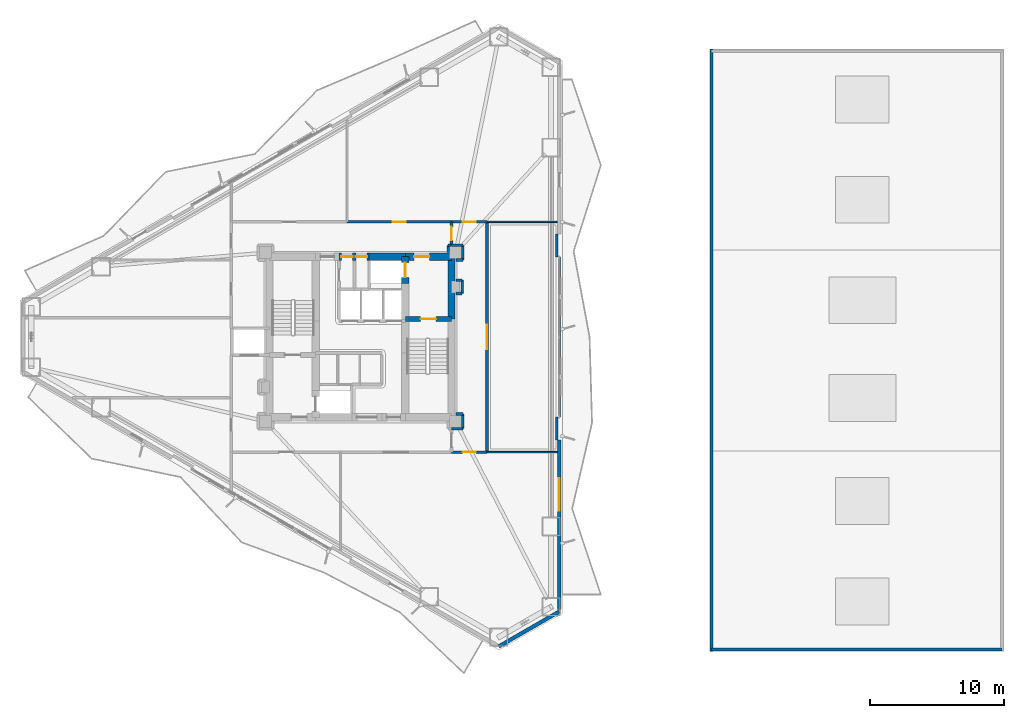
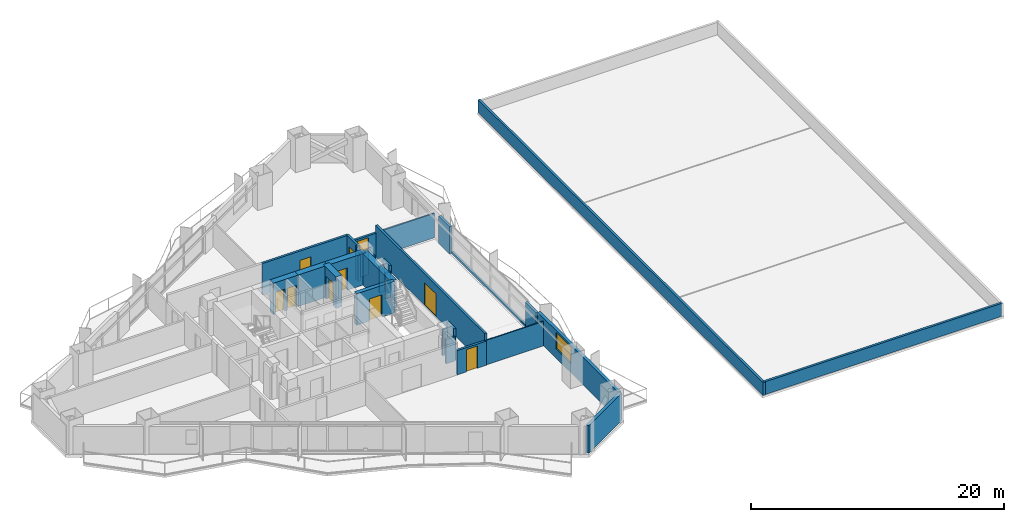
# One storey, part 13 of 16: 31 walls, 10 doors, 1 window, 11 openings.
"""IFC4 building model written with IfcOpenShell, lengths in metres."""

from ifc_helpers import new_model, si_unit, direction, frame, frame_2d, origin, place, context, subcontext, project, spatial, rectangle, extrude, material, layer, layer_set, type_object, element, fill, save


model = new_model("IFC4")

# Units and contexts
model_context = context("Model", 3, precision=1e-05, world=origin(), true_north=direction((0.0, 1.0)))
body_context = subcontext(model_context, "Body", "Model", "MODEL_VIEW")
ifc_project = project(units=[si_unit("LENGTHUNIT", "METRE"), si_unit("AREAUNIT", "SQUARE_METRE"), si_unit("VOLUMEUNIT", "CUBIC_METRE"), si_unit("PLANEANGLEUNIT", "RADIAN"), si_unit("MASSUNIT", "GRAM", prefix="KILO")], contexts=[model_context])

# Site, building, storey
site_placement = place(None, origin())
site = spatial("IfcSite", under=ifc_project, at=site_placement, CompositionType="ELEMENT")
building_placement = place(site_placement, origin())
building = spatial("IfcBuilding", under=site, at=building_placement, Name="Mersakhor Tower and Convention Hall", CompositionType="ELEMENT")
storey_placement = place(building_placement, frame((0.0, 0.0, 19.199951171875)))
storey = spatial("IfcBuildingStorey", under=building, at=storey_placement, Name="L04", CompositionType="ELEMENT", Elevation=19.199951171875)

# Wall
ifc_material_1 = material(Name="Precast concrete C45/55", Category="concrete")
ifc_layer_1 = layer(ifc_material_1, 0.27490234375)
ifc_layer_set_1 = layer_set([ifc_layer_1], Name="Precast concrete C45/55")
wall_type_1 = type_object("IfcWallType", Name="WL-EXT-275", PredefinedType="SOLIDWALL", material=ifc_layer_set_1)
wall_1_placement = place(storey_placement, frame((43.85009765625, 6.240234375, 0.0), z_axis=(0.0, 0.0, 1.0), x_axis=(-0.866043601342, -0.499968479581, 0.0)))
element("IfcWall", 1, at=wall_1_placement, inside=storey, type_object=wall_type_1, Name="L04 Chamfer Braced Spandrel Wall C2", PredefinedType="SOLIDWALL", context=body_context, shape_type="SweptSolid", body=[
    extrude(rectangle(XDim=5.211181640625, YDim=0.27490234375, at=frame_2d((2.60546875, 0.0))), origin(), (0.0, 0.0, 1.0), 2.66015625),
])

# Wall, opening, window
wall_2_placement = place(storey_placement, frame((43.85009765625, 19.0634765625, 0.0), z_axis=(0.0, 0.0, 1.0), x_axis=(0.0, -1.0, 0.0)))
wall_2 = element("IfcWall", 2, at=wall_2_placement, inside=storey, type_object=wall_type_1, Name="L04 Exterior Facade Wall F2-B3", PredefinedType="SOLIDWALL", context=body_context, shape_type="SweptSolid", body=[
    extrude(rectangle(XDim=12.673095703125, YDim=0.27490234375, at=frame_2d((6.33642578125, 0.0))), origin(), (0.0, 0.0, 1.0), 2.66015625),
])
opening_1_placement = place(wall_2_placement, frame((2.8759765625, 0.0, 0.89990234375)))
opening_1 = element("IfcOpeningElement", 3, at=opening_1_placement, cuts=wall_2, Name="Opening W-05", PredefinedType="OPENING", context=body_context, shape_type="SweptSolid", body=[
    extrude(rectangle(XDim=2.39990234375, YDim=1.60009765625, at=frame_2d((1.199951171875, 0.800048828125))), frame((0.0, 0.1474609375, 0.0), z_axis=(0.0, -1.0, 0.0), x_axis=(1.0, 0.0, 0.0)), (0.0, 0.0, 1.0), 0.294921875),
])
ifc_material_2 = material(Name="Dark solar low-E glazed aluminium window", Category="aluminium")
window_type = type_object("IfcWindowType", Name="WN-RES-240x160", PartitioningType="SINGLE_PANEL", PredefinedType="WINDOW", material=ifc_material_2)
window_placement = place(opening_1_placement, origin())
window = element("IfcWindow", 4, at=window_placement, inside=storey, type_object=window_type, Name="L04 Facade Punched Window F2-B3", OverallHeight=1.60009765625, OverallWidth=2.39990234375, PartitioningType="SINGLE_PANEL", PredefinedType="WINDOW", context=body_context, shape_type="SweptSolid", body=[
    extrude(rectangle(XDim=2.39990234375, YDim=1.60009765625, at=frame_2d((1.199951171875, 0.800048828125))), frame((0.0, 0.030029296875, 0.0), z_axis=(0.0, -1.0, 0.0), x_axis=(1.0, 0.0, 0.0)), (0.0, 0.0, 1.0), 0.06005859375),
])
fill(opening_1, window)

# Walls
ifc_material_3 = material(Name="Precast concrete C40/50", Category="concrete")
ifc_layer_2 = layer(ifc_material_3, 0.199951171875)
ifc_layer_set_2 = layer_set([ifc_layer_2], Name="Precast concrete C40/50")
wall_type_2 = type_object("IfcWallType", Name="WL-PAR-200", PredefinedType="PARAPET", material=ifc_layer_set_2)
wall_3_placement = place(storey_placement, frame((55.22509765625, 3.25, 0.2099609375), z_axis=(0.0, 0.0, 1.0), x_axis=(0.0, 1.0, 0.0)))
element("IfcWall", 5, at=wall_3_placement, inside=storey, type_object=wall_type_2, Name="Convention Hall Roof Parapet Wall W", PredefinedType="PARAPET", context=body_context, shape_type="SweptSolid", body=[
    extrude(rectangle(XDim=45.0, YDim=0.199951171875, at=frame_2d((22.5, 0.0))), origin(), (0.0, 0.0, 1.0), 1.239990234375),
])
wall_4_placement = place(storey_placement, frame((76.925048828125, 3.39990234375, 0.2099609375), z_axis=(0.0, 0.0, 1.0), x_axis=(-1.0, 0.0, 0.0)))
element("IfcWall", 6, at=wall_4_placement, inside=storey, type_object=wall_type_2, Name="Convention Hall Roof Parapet Wall S", PredefinedType="PARAPET", context=body_context, shape_type="SweptSolid", body=[
    extrude(rectangle(XDim=21.699951171875, YDim=0.199951171875, at=frame_2d((10.85009765625, 0.0))), origin(), (0.0, 0.0, 1.0), 1.239990234375),
])
wall_5_placement = place(storey_placement, frame((43.85009765625, 32.736572265625, 0.0), z_axis=(0.0, 0.0, 1.0), x_axis=(0.0, -1.0, 0.0)))
element("IfcWall", 7, at=wall_5_placement, inside=storey, type_object=wall_type_2, Name="L04 Curtain Wall Upstand Sill F2-B2", PredefinedType="PARAPET", context=body_context, shape_type="SweptSolid", body=[
    extrude(rectangle(XDim=11.97314453125, YDim=0.199951171875, at=frame_2d((5.986572265625, 0.0))), origin(), (0.0, 0.0, 1.0), 0.199951171875),
])
for number, where, z_axis, x_axis, name in (
    (8, (43.669921875, 34.4365234375, 0.0), (0.0, 0.0, 1.0), (0.0, -1.0, 0.0), "L04 Column Pier Cladding Wall F2-C1"),
    (9, (43.669921875, 20.763427734375, 0.0), (0.0, 0.0, 1.0), (0.0, -1.0, 0.0), "L04 Column Pier Cladding Wall F2-C2"),
):
    element("IfcWall", number, at=place(storey_placement, frame(where, z_axis=z_axis, x_axis=x_axis)), inside=storey, type_object=wall_type_2, Name=name, PredefinedType="PARAPET", context=body_context, shape_type="SweptSolid", body=[
        extrude(rectangle(XDim=1.699951171875, YDim=0.199951171875, at=frame_2d((0.85009765625, 0.0))), origin(), (0.0, 0.0, 1.0), 2.66015625),
    ])
ifc_material_4 = material(Name="Lightweight gypsum partition", Category="other")
ifc_layer_3 = layer(ifc_material_4, 0.10009765625)
ifc_layer_set_3 = layer_set([ifc_layer_3], Name="Lightweight gypsum partition")
wall_type_3 = type_object("IfcWallType", Name="WL-PRT-100", PredefinedType="PARTITIONING", material=ifc_layer_set_3)
wall_6_placement = place(storey_placement, frame((43.6884765625, 18.14990234375, 0.0), z_axis=(0.0, 0.0, 1.0), x_axis=(-1.0, 0.0, 0.0)))
element("IfcWall", 10, at=wall_6_placement, inside=storey, type_object=wall_type_3, Name="L04 Interior Partition Wall P-066", PredefinedType="PARTITIONING", context=body_context, shape_type="SweptSolid", body=[
    extrude(rectangle(XDim=5.238525390625, YDim=0.10009765625, at=frame_2d((2.619140625, 0.0))), origin(), (0.0, 0.0, 1.0), 2.364990234375),
])
ifc_material_5 = material(Name="Gypsum board acoustic partition", Category="other")
ifc_layer_4 = layer(ifc_material_5, 0.125)
ifc_layer_set_4 = layer_set([ifc_layer_4], Name="Gypsum board acoustic partition")
wall_type_4 = type_object("IfcWallType", Name="WL-PRT-125", PredefinedType="PARTITIONING", material=ifc_layer_set_4)
wall_7_placement = place(storey_placement, frame((43.6884765625, 35.35009765625, 0.0), z_axis=(0.0, 0.0, 1.0), x_axis=(-1.0, 0.0, 0.0)))
element("IfcWall", 11, at=wall_7_placement, inside=storey, type_object=wall_type_4, Name="L04 Interior Partition Wall P-065", PredefinedType="PARTITIONING", context=body_context, shape_type="SweptSolid", body=[
    extrude(rectangle(XDim=5.238525390625, YDim=0.125, at=frame_2d((2.619140625, 0.0))), origin(), (0.0, 0.0, 1.0), 2.364990234375),
])

# Wall, opening, door
ifc_material_6 = material(Name="Acoustic concrete blockwork and gypsum board", Category="masonry")
ifc_layer_5 = layer(ifc_material_6, 0.199951171875)
ifc_layer_set_5 = layer_set([ifc_layer_5], Name="Acoustic concrete blockwork and gypsum board")
wall_type_5 = type_object("IfcWallType", Name="WL-PRT-200", PredefinedType="PARTITIONING", material=ifc_layer_set_5)
wall_8_placement = place(storey_placement, frame((28.0, 35.35009765625, 0.0), z_axis=(0.0, 0.0, 1.0), x_axis=(1.0, 0.0, 0.0)))
wall_8 = element("IfcWall", 12, at=wall_8_placement, inside=storey, type_object=wall_type_5, Name="L04 Interior Partition Wall P-034", PredefinedType="PARTITIONING", context=body_context, shape_type="SweptSolid", body=[
    extrude(rectangle(XDim=7.800048828125, YDim=0.199951171875, at=frame_2d((3.89990234375, 0.0))), origin(), (0.0, 0.0, 1.0), 3.0400390625),
])
opening_2_placement = place(wall_8_placement, frame((3.39990234375, 0.0, 0.0)))
opening_2 = element("IfcOpeningElement", 13, at=opening_2_placement, cuts=wall_8, Name="Opening FD-01", PredefinedType="OPENING", context=body_context, shape_type="SweptSolid", body=[
    extrude(rectangle(XDim=1.0, YDim=2.14990234375, at=frame_2d((0.5, 1.074951171875))), frame((0.0, 0.10986328125, 0.0), z_axis=(0.0, -1.0, 0.0), x_axis=(1.0, 0.0, 0.0)), (0.0, 0.0, 1.0), 0.219970703125),
])
ifc_material_7 = material(Name="Fire-rated hardwood leaf and painted steel frame", Category="steel")
door_type_1 = type_object("IfcDoorType", Name="DR-INT-FLT-100x215", OperationType="NOTDEFINED", PredefinedType="DOOR", material=ifc_material_7)
door_1_placement = place(opening_2_placement, origin())
door_1 = element("IfcDoor", 14, at=door_1_placement, inside=storey, type_object=door_type_1, Name="L04 L04 Sky-Lobby Corridor to Early Years Nursery Classroom 2 Door", OperationType="SINGLE_SWING_RIGHT", OverallHeight=2.14990234375, OverallWidth=1.0, PredefinedType="DOOR", context=body_context, shape_type="SweptSolid", body=[
    extrude(rectangle(XDim=1.0, YDim=2.14990234375, at=frame_2d((0.5, 1.074951171875))), frame((0.0, 0.02490234375, 0.0), z_axis=(0.0, -1.0, 0.0), x_axis=(1.0, 0.0, 0.0)), (0.0, 0.0, 1.0), 0.050048828125),
])
fill(opening_2, door_1)

wall_9_placement = place(storey_placement, frame((35.800048828125, 35.35009765625, 0.0), z_axis=(0.0, 0.0, 1.0), x_axis=(0.0, -1.0, 0.0)))
wall_9 = element("IfcWall", 15, at=wall_9_placement, inside=storey, type_object=wall_type_5, Name="L04 Interior Partition Wall P-035", PredefinedType="PARTITIONING", context=body_context, shape_type="SweptSolid", body=[
    extrude(rectangle(XDim=1.75, YDim=0.199951171875, at=frame_2d((0.875, 0.0))), origin(), (0.0, 0.0, 1.0), 3.0400390625),
])
opening_3_placement = place(wall_9_placement, frame((0.375, 0.0, 0.0)))
opening_3 = element("IfcOpeningElement", 16, at=opening_3_placement, cuts=wall_9, Name="Opening FD-01", PredefinedType="OPENING", context=body_context, shape_type="SweptSolid", body=[
    extrude(rectangle(XDim=1.0, YDim=2.14990234375, at=frame_2d((0.5, 1.074951171875))), frame((0.0, 0.10986328125, 0.0), z_axis=(0.0, -1.0, 0.0), x_axis=(1.0, 0.0, 0.0)), (0.0, 0.0, 1.0), 0.219970703125),
])
door_2_placement = place(opening_3_placement, origin())
door_2 = element("IfcDoor", 17, at=door_2_placement, inside=storey, type_object=door_type_1, Name="L04 Ring Corridor Fire Door", OperationType="SINGLE_SWING_RIGHT", OverallHeight=2.14990234375, OverallWidth=1.0, PredefinedType="DOOR", context=body_context, shape_type="SweptSolid", body=[
    extrude(rectangle(XDim=1.0, YDim=2.14990234375, at=frame_2d((0.5, 1.074951171875))), frame((0.0, 0.02490234375, 0.0), z_axis=(0.0, -1.0, 0.0), x_axis=(1.0, 0.0, 0.0)), (0.0, 0.0, 1.0), 0.050048828125),
])
fill(opening_3, door_2)

# Walls
wall_10_placement = place(storey_placement, frame((35.77001953125, 33.60009765625, 0.0), z_axis=(0.0, 0.0, 1.0), x_axis=(-1.0, 0.0, 0.0)))
element("IfcWall", 18, at=wall_10_placement, inside=storey, type_object=wall_type_5, Name="L04 Interior Partition Wall P-036", PredefinedType="PARTITIONING", context=body_context, shape_type="SweptSolid", body=[
    extrude(rectangle(XDim=0.219970703125, YDim=0.199951171875, at=frame_2d((0.10986328125, 0.0))), origin(), (0.0, 0.0, 1.0), 3.0400390625),
])
wall_11_placement = place(storey_placement, frame((35.550048828125, 33.570068359375, 0.0), z_axis=(0.0, 0.0, 1.0), x_axis=(0.0, -1.0, 0.0)))
element("IfcWall", 19, at=wall_11_placement, inside=storey, type_object=wall_type_5, Name="L04 Interior Partition Wall P-037", PredefinedType="PARTITIONING", context=body_context, shape_type="SweptSolid", body=[
    extrude(rectangle(XDim=0.4951171875, YDim=0.199951171875, at=frame_2d((0.24755859375, 0.0))), origin(), (0.0, 0.0, 1.0), 2.48828125),
])
wall_12_placement = place(storey_placement, frame((36.64990234375, 21.0, 0.0), z_axis=(0.0, 0.0, 1.0), x_axis=(-1.0, 0.0, 0.0)))
element("IfcWall", 20, at=wall_12_placement, inside=storey, type_object=wall_type_5, Name="L04 Interior Partition Wall P-045", PredefinedType="PARTITIONING", context=body_context, shape_type="SweptSolid", body=[
    extrude(rectangle(XDim=0.52490234375, YDim=0.199951171875, at=frame_2d((0.262451171875, 0.0))), origin(), (0.0, 0.0, 1.0), 2.48828125),
])
wall_13_placement = place(storey_placement, frame((36.125, 30.0, 0.0), z_axis=(0.0, 0.0, 1.0), x_axis=(1.0, 0.0, 0.0)))
element("IfcWall", 21, at=wall_13_placement, inside=storey, type_object=wall_type_5, Name="L04 Interior Partition Wall P-046", PredefinedType="PARTITIONING", context=body_context, shape_type="SweptSolid", body=[
    extrude(rectangle(XDim=0.47509765625, YDim=0.199951171875, at=frame_2d((0.237548828125, 0.0))), origin(), (0.0, 0.0, 1.0), 2.48828125),
])
wall_14_placement = place(storey_placement, frame((36.60009765625, 30.0, 0.0), z_axis=(0.0, 0.0, 1.0), x_axis=(0.0, 1.0, 0.0)))
element("IfcWall", 22, at=wall_14_placement, inside=storey, type_object=wall_type_5, Name="L04 Interior Partition Wall P-047", PredefinedType="PARTITIONING", context=body_context, shape_type="SweptSolid", body=[
    extrude(rectangle(XDim=1.0, YDim=0.199951171875, at=frame_2d((0.5, 0.0))), origin(), (0.0, 0.0, 1.0), 3.0400390625),
])
wall_15_placement = place(storey_placement, frame((36.570068359375, 31.0, 0.0), z_axis=(0.0, 0.0, 1.0), x_axis=(-1.0, 0.0, 0.0)))
element("IfcWall", 23, at=wall_15_placement, inside=storey, type_object=wall_type_5, Name="L04 Interior Partition Wall P-048", PredefinedType="PARTITIONING", context=body_context, shape_type="SweptSolid", body=[
    extrude(rectangle(XDim=0.445068359375, YDim=0.199951171875, at=frame_2d((0.22265625, 0.0))), origin(), (0.0, 0.0, 1.0), 2.48828125),
])
wall_16_placement = place(storey_placement, frame((36.125, 32.5, 0.0), z_axis=(0.0, 0.0, 1.0), x_axis=(1.0, 0.0, 0.0)))
element("IfcWall", 24, at=wall_16_placement, inside=storey, type_object=wall_type_5, Name="L04 Interior Partition Wall P-049", PredefinedType="PARTITIONING", context=body_context, shape_type="SweptSolid", body=[
    extrude(rectangle(XDim=0.52490234375, YDim=0.199951171875, at=frame_2d((0.262451171875, 0.0))), origin(), (0.0, 0.0, 1.0), 2.48828125),
])
wall_17_placement = place(storey_placement, frame((36.64990234375, 32.5, 0.0), z_axis=(0.0, 0.0, 1.0), x_axis=(0.0, 1.0, 0.0)))
element("IfcWall", 25, at=wall_17_placement, inside=storey, type_object=wall_type_5, Name="L04 Interior Partition Wall P-050", PredefinedType="PARTITIONING", context=body_context, shape_type="SweptSolid", body=[
    extrude(rectangle(XDim=1.10009765625, YDim=0.199951171875, at=frame_2d((0.550048828125, 0.0))), origin(), (0.0, 0.0, 1.0), 2.337646484375),
])
wall_18_placement = place(storey_placement, frame((36.64990234375, 33.60009765625, 0.0), z_axis=(0.0, 0.0, 1.0), x_axis=(-1.0, 0.0, 0.0)))
element("IfcWall", 26, at=wall_18_placement, inside=storey, type_object=wall_type_5, Name="L04 Interior Partition Wall P-051", PredefinedType="PARTITIONING", context=body_context, shape_type="SweptSolid", body=[
    extrude(rectangle(XDim=0.849853515625, YDim=0.199951171875, at=frame_2d((0.4248046875, 0.0))), origin(), (0.0, 0.0, 1.0), 2.337646484375),
])

# Wall, opening, door
wall_19_placement = place(storey_placement, frame((35.800048828125, 35.35009765625, 0.0), z_axis=(0.0, 0.0, 1.0), x_axis=(1.0, 0.0, 0.0)))
wall_19 = element("IfcWall", 27, at=wall_19_placement, inside=storey, type_object=wall_type_5, Name="L04 Interior Partition Wall P-052", PredefinedType="PARTITIONING", context=body_context, shape_type="SweptSolid", body=[
    extrude(rectangle(XDim=2.64990234375, YDim=0.199951171875, at=frame_2d((1.324951171875, 0.0))), origin(), (0.0, 0.0, 1.0), 2.337646484375),
])
opening_4_placement = place(wall_19_placement, frame((0.824951171875, 0.0, 0.0)))
opening_4 = element("IfcOpeningElement", 28, at=opening_4_placement, cuts=wall_19, Name="Opening FD-01", PredefinedType="OPENING", context=body_context, shape_type="SweptSolid", body=[
    extrude(rectangle(XDim=1.0, YDim=2.14990234375, at=frame_2d((0.5, 1.074951171875))), frame((0.0, 0.10986328125, 0.0), z_axis=(0.0, -1.0, 0.0), x_axis=(1.0, 0.0, 0.0)), (0.0, 0.0, 1.0), 0.219970703125),
])
door_3_placement = place(opening_4_placement, origin())
door_3 = element("IfcDoor", 29, at=door_3_placement, inside=storey, type_object=door_type_1, Name="L04 L04 Sky-Lobby East Corridor to Early Years Nursery Classroom 2 Door", OperationType="SINGLE_SWING_RIGHT", OverallHeight=2.14990234375, OverallWidth=1.0, PredefinedType="DOOR", context=body_context, shape_type="SweptSolid", body=[
    extrude(rectangle(XDim=1.0, YDim=2.14990234375, at=frame_2d((0.5, 1.074951171875))), frame((0.0, 0.02490234375, 0.0), z_axis=(0.0, -1.0, 0.0), x_axis=(1.0, 0.0, 0.0)), (0.0, 0.0, 1.0), 0.050048828125),
])
fill(opening_4, door_3)

wall_20_placement = place(storey_placement, frame((38.449951171875, 35.35009765625, 0.0), z_axis=(0.0, 0.0, 1.0), x_axis=(0.0, -1.0, 0.0)))
wall_20 = element("IfcWall", 30, at=wall_20_placement, inside=storey, type_object=wall_type_5, Name="L04 Interior Partition Wall P-053", PredefinedType="PARTITIONING", context=body_context, shape_type="SweptSolid", body=[
    extrude(rectangle(XDim=17.2001953125, YDim=0.199951171875, at=frame_2d((8.60009765625, 0.0))), origin(), (0.0, 0.0, 1.0), 3.0400390625),
])
opening_5_placement = place(wall_20_placement, frame((7.699951171875, 0.0, 0.0)))
opening_5 = element("IfcOpeningElement", 31, at=opening_5_placement, cuts=wall_20, Name="Opening HD-01", PredefinedType="OPENING", context=body_context, shape_type="SweptSolid", body=[
    extrude(rectangle(XDim=1.800048828125, YDim=2.199951171875, at=frame_2d((0.89990234375, 1.10009765625))), frame((0.0, 0.10986328125, 0.0), z_axis=(0.0, -1.0, 0.0), x_axis=(1.0, 0.0, 0.0)), (0.0, 0.0, 1.0), 0.219970703125),
])
ifc_material_8 = material(Name="Fire-rated hardwood leaf and painted steel frame", Category="steel")
door_type_2 = type_object("IfcDoorType", Name="DR-INT-HALL-180x220", OperationType="NOTDEFINED", PredefinedType="DOOR", material=ifc_material_8)
door_4_placement = place(opening_5_placement, origin())
door_4 = element("IfcDoor", 32, at=door_4_placement, inside=storey, type_object=door_type_2, Name="L04 L04 Sky-Lobby East Corridor to Podium Residents Library Hall Door", OperationType="DOUBLE_DOOR_SINGLE_SWING", OverallHeight=2.199951171875, OverallWidth=1.800048828125, PredefinedType="DOOR", context=body_context, shape_type="SweptSolid", body=[
    extrude(rectangle(XDim=1.800048828125, YDim=2.199951171875, at=frame_2d((0.89990234375, 1.10009765625))), frame((0.0, 0.02490234375, 0.0), z_axis=(0.0, -1.0, 0.0), x_axis=(1.0, 0.0, 0.0)), (0.0, 0.0, 1.0), 0.050048828125),
])
fill(opening_5, door_4)

wall_21_placement = place(storey_placement, frame((38.449951171875, 18.14990234375, 0.0), z_axis=(0.0, 0.0, 1.0), x_axis=(-1.0, 0.0, 0.0)))
wall_21 = element("IfcWall", 33, at=wall_21_placement, inside=storey, type_object=wall_type_5, Name="L04 Interior Partition Wall P-054", PredefinedType="PARTITIONING", context=body_context, shape_type="SweptSolid", body=[
    extrude(rectangle(XDim=2.64990234375, YDim=0.199951171875, at=frame_2d((1.324951171875, 0.0))), origin(), (0.0, 0.0, 1.0), 2.337646484375),
])
opening_6_placement = place(wall_21_placement, frame((0.824951171875, 0.0, 0.0)))
opening_6 = element("IfcOpeningElement", 34, at=opening_6_placement, cuts=wall_21, Name="Opening FD-01", PredefinedType="OPENING", context=body_context, shape_type="SweptSolid", body=[
    extrude(rectangle(XDim=1.0, YDim=2.14990234375, at=frame_2d((0.5, 1.074951171875))), frame((0.0, 0.10986328125, 0.0), z_axis=(0.0, -1.0, 0.0), x_axis=(1.0, 0.0, 0.0)), (0.0, 0.0, 1.0), 0.219970703125),
])
door_5_placement = place(opening_6_placement, origin())
door_5 = element("IfcDoor", 35, at=door_5_placement, inside=storey, type_object=door_type_1, Name="L04 L04 Sky-Lobby East Corridor to Community Health Seminar Room Door", OperationType="SINGLE_SWING_RIGHT", OverallHeight=2.14990234375, OverallWidth=1.0, PredefinedType="DOOR", context=body_context, shape_type="SweptSolid", body=[
    extrude(rectangle(XDim=1.0, YDim=2.14990234375, at=frame_2d((0.5, 1.074951171875))), frame((0.0, 0.02490234375, 0.0), z_axis=(0.0, -1.0, 0.0), x_axis=(1.0, 0.0, 0.0)), (0.0, 0.0, 1.0), 0.050048828125),
])
fill(opening_6, door_5)

# Walls
wall_22_placement = place(storey_placement, frame((35.800048828125, 19.89990234375, 0.0), z_axis=(0.0, 0.0, 1.0), x_axis=(1.0, 0.0, 0.0)))
element("IfcWall", 36, at=wall_22_placement, inside=storey, type_object=wall_type_5, Name="L04 Interior Partition Wall P-055", PredefinedType="PARTITIONING", context=body_context, shape_type="SweptSolid", body=[
    extrude(rectangle(XDim=0.849853515625, YDim=0.199951171875, at=frame_2d((0.4248046875, 0.0))), origin(), (0.0, 0.0, 1.0), 2.337646484375),
])
wall_23_placement = place(storey_placement, frame((36.64990234375, 19.89990234375, 0.0), z_axis=(0.0, 0.0, 1.0), x_axis=(0.0, 1.0, 0.0)))
element("IfcWall", 37, at=wall_23_placement, inside=storey, type_object=wall_type_5, Name="L04 Interior Partition Wall P-056", PredefinedType="PARTITIONING", context=body_context, shape_type="SweptSolid", body=[
    extrude(rectangle(XDim=1.10009765625, YDim=0.199951171875, at=frame_2d((0.550048828125, 0.0))), origin(), (0.0, 0.0, 1.0), 3.0400390625),
])

# Wall, opening, door
ifc_material_9 = material(Name="Concrete C50/60", Category="concrete")
ifc_layer_6 = layer(ifc_material_9, 0.35009765625)
ifc_layer_set_6 = layer_set([ifc_layer_6], Name="Concrete C50/60")
wall_type_6 = type_object("IfcWallType", Name="WL-SHR-350", PredefinedType="SHEAR", material=ifc_layer_set_6)
wall_24_placement = place(storey_placement, frame((32.35009765625, 28.10009765625, 0.0), z_axis=(0.0, 0.0, 1.0), x_axis=(1.0, 0.0, 0.0)))
wall_24 = element("IfcWall", 38, at=wall_24_placement, inside=storey, type_object=wall_type_6, Name="L04 Core Wall CS-ST2-N", PredefinedType="SHEAR", context=body_context, shape_type="SweptSolid", body=[
    extrude(rectangle(XDim=3.449951171875, YDim=0.35009765625, at=frame_2d((1.72509765625, 0.0))), origin(), (0.0, 0.0, 1.0), 3.0400390625),
])
opening_7_placement = place(wall_24_placement, frame((1.14990234375, 0.0, 0.0)))
opening_7 = element("IfcOpeningElement", 39, at=opening_7_placement, cuts=wall_24, Name="Opening SD-01", PredefinedType="OPENING", context=body_context, shape_type="SweptSolid", body=[
    extrude(rectangle(XDim=1.14990234375, YDim=2.14990234375, at=frame_2d((0.574951171875, 1.074951171875))), frame((0.0, 0.18505859375, 0.0), z_axis=(0.0, -1.0, 0.0), x_axis=(1.0, 0.0, 0.0)), (0.0, 0.0, 1.0), 0.3701171875),
])
ifc_material_10 = material(Name="Fire-rated hardwood leaf and painted steel frame", Category="steel")
door_type_3 = type_object("IfcDoorType", Name="DR-INT-STAIR-115x215", OperationType="NOTDEFINED", PredefinedType="DOOR", material=ifc_material_10)
door_6_placement = place(opening_7_placement, origin())
door_6 = element("IfcDoor", 40, at=door_6_placement, inside=storey, type_object=door_type_3, Name="L04 Exit Stair ST-2 Enclosure Door", OperationType="SINGLE_SWING_RIGHT", OverallHeight=2.14990234375, OverallWidth=1.14990234375, PredefinedType="DOOR", context=body_context, shape_type="SweptSolid", body=[
    extrude(rectangle(XDim=1.14990234375, YDim=2.14990234375, at=frame_2d((0.574951171875, 1.074951171875))), frame((0.0, 0.02490234375, 0.0), z_axis=(0.0, -1.0, 0.0), x_axis=(1.0, 0.0, 0.0)), (0.0, 0.0, 1.0), 0.050048828125),
])
fill(opening_7, door_6)

# Wall, openings, doors
ifc_material_11 = material(Name="Concrete C70/85", Category="concrete")
ifc_layer_7 = layer(ifc_material_11, 0.550048828125)
ifc_layer_set_7 = layer_set([ifc_layer_7], Name="Concrete C70/85")
wall_type_7 = type_object("IfcWallType", Name="WL-SHR-550", PredefinedType="SHEAR", material=ifc_layer_set_7)
wall_25_placement = place(storey_placement, frame((27.39990234375, 32.75, 0.0), z_axis=(0.0, 0.0, 1.0), x_axis=(1.0, 0.0, 0.0)))
wall_25 = element("IfcWall", 41, at=wall_25_placement, inside=storey, type_object=wall_type_7, Name="L04 Core Wall CW-N2B", PredefinedType="SHEAR", context=body_context, shape_type="SweptSolid", body=[
    extrude(rectangle(XDim=2.25, YDim=0.550048828125, at=frame_2d((1.125, 0.0))), origin(), (0.0, 0.0, 1.0), 3.0400390625),
])
opening_8_placement = place(wall_25_placement, frame((0.169921875, 0.0, 0.0)))
opening_8 = element("IfcOpeningElement", 42, at=opening_8_placement, cuts=wall_25, Name="Opening SVD-01", PredefinedType="OPENING", context=body_context, shape_type="SweptSolid", body=[
    extrude(rectangle(XDim=0.85009765625, YDim=2.10009765625, at=frame_2d((0.425048828125, 1.050048828125))), frame((0.0, 0.284912109375, 0.0), z_axis=(0.0, -1.0, 0.0), x_axis=(1.0, 0.0, 0.0)), (0.0, 0.0, 1.0), 0.570068359375),
])
opening_9_placement = place(wall_25_placement, frame((1.2548828125, 0.0, 0.0)))
opening_9 = element("IfcOpeningElement", 43, at=opening_9_placement, cuts=wall_25, Name="Opening SVD-01", PredefinedType="OPENING", context=body_context, shape_type="SweptSolid", body=[
    extrude(rectangle(XDim=0.85009765625, YDim=2.10009765625, at=frame_2d((0.425048828125, 1.050048828125))), frame((0.0, 0.284912109375, 0.0), z_axis=(0.0, -1.0, 0.0), x_axis=(1.0, 0.0, 0.0)), (0.0, 0.0, 1.0), 0.570068359375),
])
ifc_material_12 = material(Name="Fire-rated hardwood leaf and painted steel frame", Category="steel")
door_type_4 = type_object("IfcDoorType", Name="DR-INT-SVC-085x210", OperationType="NOTDEFINED", PredefinedType="DOOR", material=ifc_material_12)
door_7_placement = place(opening_8_placement, origin())
door_7 = element("IfcDoor", 44, at=door_7_placement, inside=storey, type_object=door_type_4, Name="L04 L04 Sky-Lobby Corridor to Telecoms Distribution Room Door", OperationType="SINGLE_SWING_LEFT", OverallHeight=2.10009765625, OverallWidth=0.85009765625, PredefinedType="DOOR", context=body_context, shape_type="SweptSolid", body=[
    extrude(rectangle(XDim=0.85009765625, YDim=2.10009765625, at=frame_2d((0.425048828125, 1.050048828125))), frame((0.0, 0.02490234375, 0.0), z_axis=(0.0, -1.0, 0.0), x_axis=(1.0, 0.0, 0.0)), (0.0, 0.0, 1.0), 0.050048828125),
])
fill(opening_8, door_7)
door_8_placement = place(opening_9_placement, origin())
door_8 = element("IfcDoor", 45, at=door_8_placement, inside=storey, type_object=door_type_4, Name="L04 L04 Sky-Lobby Corridor to Floor Housekeeping Store Room Door", OperationType="SINGLE_SWING_RIGHT", OverallHeight=2.10009765625, OverallWidth=0.85009765625, PredefinedType="DOOR", context=body_context, shape_type="SweptSolid", body=[
    extrude(rectangle(XDim=0.85009765625, YDim=2.10009765625, at=frame_2d((0.425048828125, 1.050048828125))), frame((0.0, 0.02490234375, 0.0), z_axis=(0.0, -1.0, 0.0), x_axis=(1.0, 0.0, 0.0)), (0.0, 0.0, 1.0), 0.050048828125),
])
fill(opening_9, door_8)

# Wall
wall_26_placement = place(storey_placement, frame((29.64990234375, 32.75, 0.0), z_axis=(0.0, 0.0, 1.0), x_axis=(1.0, 0.0, 0.0)))
element("IfcWall", 46, at=wall_26_placement, inside=storey, type_object=wall_type_7, Name="L04 Core Wall CW-N3", PredefinedType="SHEAR", context=body_context, shape_type="SweptSolid", body=[
    extrude(rectangle(XDim=2.7001953125, YDim=0.550048828125, at=frame_2d((1.35009765625, 0.0))), origin(), (0.0, 0.0, 1.0), 3.0400390625),
])

# Wall, opening, door
wall_27_placement = place(storey_placement, frame((32.35009765625, 32.75, 0.0), z_axis=(0.0, 0.0, 1.0), x_axis=(1.0, 0.0, 0.0)))
wall_27 = element("IfcWall", 47, at=wall_27_placement, inside=storey, type_object=wall_type_7, Name="L04 Core Wall CW-N4", PredefinedType="SHEAR", context=body_context, shape_type="SweptSolid", body=[
    extrude(rectangle(XDim=3.449951171875, YDim=0.550048828125, at=frame_2d((1.72509765625, 0.0))), origin(), (0.0, 0.0, 1.0), 3.0400390625),
])
opening_10_placement = place(wall_27_placement, frame((0.64990234375, 0.0, 0.0)))
opening_10 = element("IfcOpeningElement", 48, at=opening_10_placement, cuts=wall_27, Name="Opening SD-01", PredefinedType="OPENING", context=body_context, shape_type="SweptSolid", body=[
    extrude(rectangle(XDim=1.14990234375, YDim=2.14990234375, at=frame_2d((0.574951171875, 1.074951171875))), frame((0.0, 0.284912109375, 0.0), z_axis=(0.0, -1.0, 0.0), x_axis=(1.0, 0.0, 0.0)), (0.0, 0.0, 1.0), 0.570068359375),
])
door_9_placement = place(opening_10_placement, origin())
door_9 = element("IfcDoor", 49, at=door_9_placement, inside=storey, type_object=door_type_3, Name="L04 Firefighting Lobby East Fire Door", OperationType="SINGLE_SWING_RIGHT", OverallHeight=2.14990234375, OverallWidth=1.14990234375, PredefinedType="DOOR", context=body_context, shape_type="SweptSolid", body=[
    extrude(rectangle(XDim=1.14990234375, YDim=2.14990234375, at=frame_2d((0.574951171875, 1.074951171875))), frame((0.0, 0.02490234375, 0.0), z_axis=(0.0, -1.0, 0.0), x_axis=(1.0, 0.0, 0.0)), (0.0, 0.0, 1.0), 0.050048828125),
])
fill(opening_10, door_9)

# Wall
wall_28_placement = place(storey_placement, frame((35.800048828125, 32.75, 0.0), z_axis=(0.0, 0.0, 1.0), x_axis=(0.0, -1.0, 0.0)))
element("IfcWall", 50, at=wall_28_placement, inside=storey, type_object=wall_type_7, Name="L04 Core Wall CW-E1", PredefinedType="SHEAR", context=body_context, shape_type="SweptSolid", body=[
    extrude(rectangle(XDim=4.64990234375, YDim=0.550048828125, at=frame_2d((2.324951171875, 0.0))), origin(), (0.0, 0.0, 1.0), 3.0400390625),
])

# Wall, opening, door
wall_29_placement = place(storey_placement, frame((32.35009765625, 30.75, 0.0), z_axis=(0.0, 0.0, 1.0), x_axis=(0.0, 1.0, 0.0)))
wall_29 = element("IfcWall", 51, at=wall_29_placement, inside=storey, type_object=wall_type_7, Name="L04 Core Wall CS-E-FFL", PredefinedType="SHEAR", context=body_context, shape_type="SweptSolid", body=[
    extrude(rectangle(XDim=2.0, YDim=0.550048828125, at=frame_2d((1.0, 0.0))), origin(), (0.0, 0.0, 1.0), 3.0400390625),
])
opening_11_placement = place(wall_29_placement, frame((0.449951171875, 0.0, 0.0)))
opening_11 = element("IfcOpeningElement", 52, at=opening_11_placement, cuts=wall_29, Name="Opening LD-FFL2", PredefinedType="OPENING", context=body_context, shape_type="SweptSolid", body=[
    extrude(rectangle(XDim=1.10009765625, YDim=2.14990234375, at=frame_2d((0.550048828125, 1.074951171875))), frame((0.0, 0.284912109375, 0.0), z_axis=(0.0, -1.0, 0.0), x_axis=(1.0, 0.0, 0.0)), (0.0, 0.0, 1.0), 0.570068359375),
])
ifc_material_13 = material(Name="Fire-rated brushed stainless steel sliding landing door", Category="steel")
door_type_5 = type_object("IfcDoorType", Name="DR-LIFT-SLD-110x215", OperationType="NOTDEFINED", PredefinedType="DOOR", material=ifc_material_13)
door_10_placement = place(opening_11_placement, origin())
door_10 = element("IfcDoor", 53, at=door_10_placement, inside=storey, type_object=door_type_5, Name="L04 Firefighting Lift Landing Door LD-FFL2", OperationType="SLIDING_TO_LEFT", OverallHeight=2.14990234375, OverallWidth=1.10009765625, PredefinedType="DOOR", context=body_context, shape_type="SweptSolid", body=[
    extrude(rectangle(XDim=1.10009765625, YDim=2.14990234375, at=frame_2d((0.550048828125, 1.074951171875))), frame((0.0, 0.02490234375, 0.0), z_axis=(0.0, -1.0, 0.0), x_axis=(1.0, 0.0, 0.0)), (0.0, 0.0, 1.0), 0.050048828125),
])
fill(opening_11, door_10)

save(model, "model.ifc")
